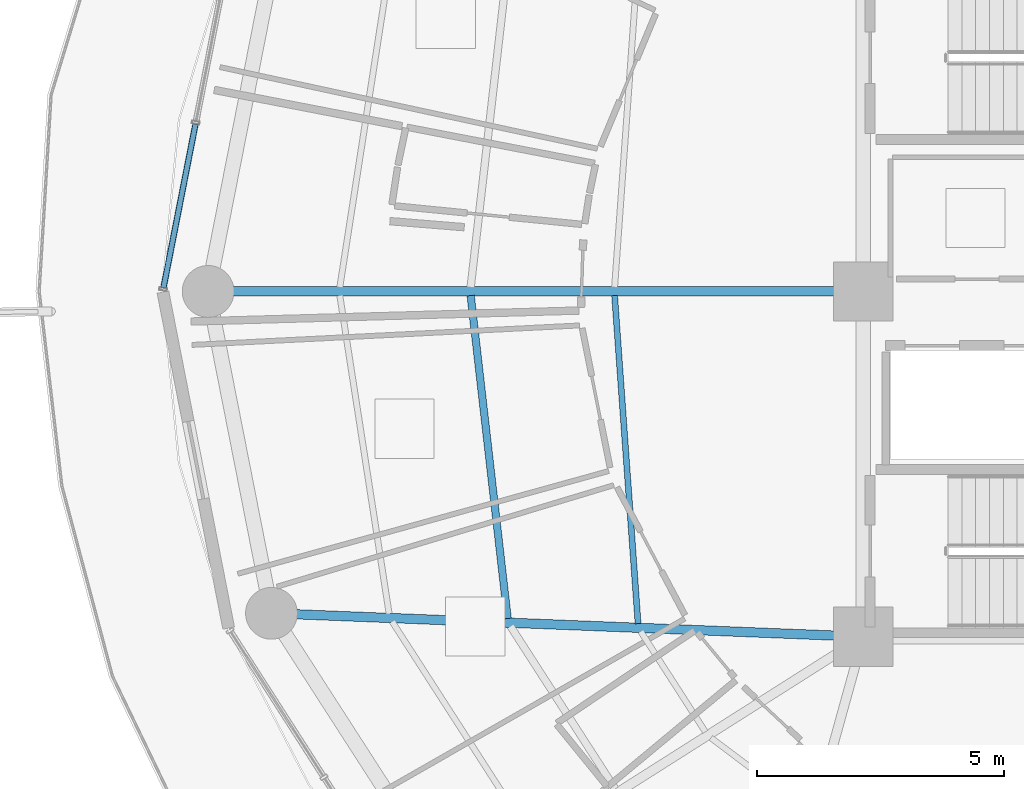
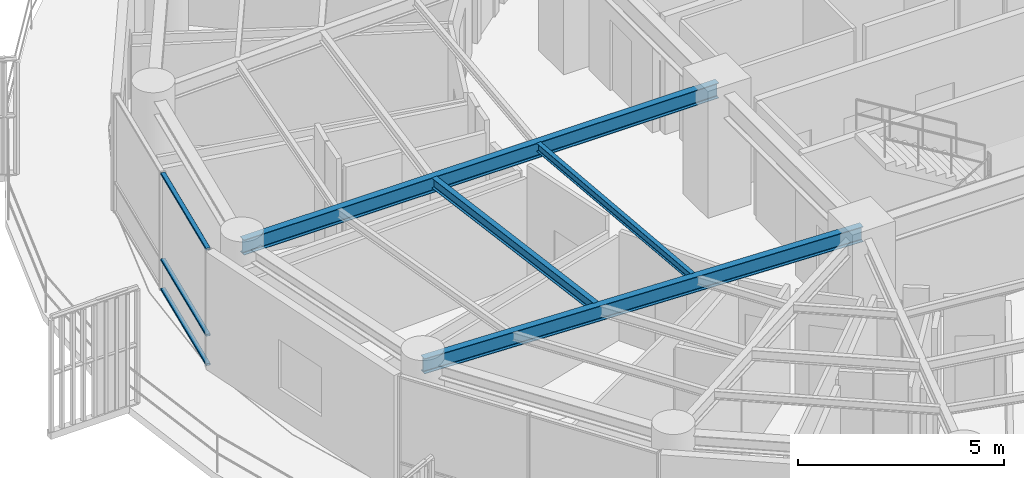
# One storey, part 7 of 31: 4 beams, 3 members, 1 element without a shape of its own.
"""IFC4 building model written with IfcOpenShell, lengths in metres."""

from ifc_helpers import new_model, si_unit, direction, frame, origin, origin_2d, place, context, subcontext, project, spatial, hollow_rectangle, i_section, extrude, material, layer, layer_set, material_profile, profile_set, type_object, element, aggregate, save


model = new_model("IFC4")

# Units and contexts
model_context = context("Model", 3, precision=1e-05, world=origin(), true_north=direction((0.0, 1.0)))
body_context = subcontext(model_context, "Body", "Model", "MODEL_VIEW")
ifc_project = project(units=[si_unit("LENGTHUNIT", "METRE"), si_unit("AREAUNIT", "SQUARE_METRE"), si_unit("VOLUMEUNIT", "CUBIC_METRE"), si_unit("PLANEANGLEUNIT", "RADIAN"), si_unit("MASSUNIT", "GRAM", prefix="KILO")], contexts=[model_context])

# Site, building, storey
site_placement = place(None, origin())
site = spatial("IfcSite", under=ifc_project, at=site_placement, CompositionType="ELEMENT")
building_placement = place(site_placement, origin())
building = spatial("IfcBuilding", under=site, at=building_placement, Name="Kelanora Arch Commons", CompositionType="ELEMENT")
storey_placement = place(building_placement, frame((0.0, 0.0, 200.699951171875)))
storey = spatial("IfcBuildingStorey", under=building, at=storey_placement, Name="L51", CompositionType="ELEMENT", Elevation=200.699951171875)

# Beams
ifc_material_1 = material(Name="Steel S355", Category="steel")
ifc_material_profile_1 = material_profile(ifc_material_1, i_section(OverallWidth=0.14990234375, OverallDepth=0.300048828125, WebThickness=0.007080078125, FlangeThickness=0.0107421875, FilletRadius=0.014892578125, at=origin_2d()), Name="IPE300")
ifc_profile_set_1 = profile_set([ifc_material_profile_1], Name="Steel S355")
beam_type_1 = type_object("IfcBeamType", Name="BM-JST-01", PredefinedType="JOIST", material=ifc_profile_set_1)
beam_1_placement = place(storey_placement, frame((58.041748046875, 57.91552734375, 3.340087890625), z_axis=(0.113891408177, -0.993493204377, 0.0), x_axis=(0.993493204377, 0.113891408177, 0.0)))
element("IfcBeam", 1, at=beam_1_placement, inside=storey, type_object=beam_type_1, Name="Secondary Chord Joist BJB-18 L51", PredefinedType="JOIST", context=body_context, shape_type="SweptSolid", body=[
    extrude(i_section(OverallWidth=0.14990234375, OverallDepth=0.300048828125, WebThickness=0.007080078125, FlangeThickness=0.0107421875, FilletRadius=0.014892578125, at=origin_2d()), origin(), (0.0, 0.0, 1.0), 6.589599609375),
])
ifc_material_profile_2 = material_profile(ifc_material_1, i_section(OverallWidth=0.1201171875, OverallDepth=0.239990234375, WebThickness=0.006103515625, FlangeThickness=0.009765625, FilletRadius=0.014892578125, at=origin_2d()), Name="IPE240")
ifc_profile_set_2 = profile_set([ifc_material_profile_2], Name="Steel S355")
beam_type_2 = type_object("IfcBeamType", Name="BM-JST-02", PredefinedType="JOIST", material=ifc_profile_set_2)
beam_2_placement = place(storey_placement, frame((60.959716796875, 57.915283203125, 3.3701171875), z_axis=(0.07133032136, -0.997452748382, 0.0), x_axis=(0.997452748382, 0.07133032136, 0.0)))
element("IfcBeam", 2, at=beam_2_placement, inside=storey, type_object=beam_type_2, Name="Secondary Chord Joist BJA-18 L51", PredefinedType="JOIST", context=body_context, shape_type="SweptSolid", body=[
    extrude(i_section(OverallWidth=0.1201171875, OverallDepth=0.239990234375, WebThickness=0.006103515625, FlangeThickness=0.009765625, FilletRadius=0.014892578125, at=origin_2d()), origin(), (0.0, 0.0, 1.0), 6.66748046875),
])
ifc_material_profile_3 = material_profile(ifc_material_1, i_section(OverallWidth=0.18994140625, OverallDepth=0.449951171875, WebThickness=0.009521484375, FlangeThickness=0.0146484375, FilletRadius=0.02099609375, at=origin_2d()), Name="IPE450")
ifc_profile_set_3 = profile_set([ifc_material_profile_3], Name="Steel S355")
beam_type_3 = type_object("IfcBeamType", Name="BM-RAD-Z4", PredefinedType="BEAM", material=ifc_profile_set_3)
beam_3_placement = place(storey_placement, frame((66.0, 58.0, 3.26513671875), z_axis=(-1.0, 0.0, 0.0), x_axis=(0.0, -1.0, 0.0)))
element("IfcBeam", 3, at=beam_3_placement, inside=storey, type_object=beam_type_3, Name="Radial Floor Girder BR-18 L51", PredefinedType="BEAM", context=body_context, shape_type="SweptSolid", body=[
    extrude(i_section(OverallWidth=0.18994140625, OverallDepth=0.449951171875, WebThickness=0.009521484375, FlangeThickness=0.0146484375, FilletRadius=0.02099609375, at=origin_2d()), origin(), (0.0, 0.0, 1.0), 13.280029296875),
])
beam_4_placement = place(storey_placement, frame((66.0, 51.0, 3.26513671875), z_axis=(-0.999219142585, 0.03951082246, 0.0), x_axis=(-0.03951082246, -0.999219142585, 0.0)))
element("IfcBeam", 4, at=beam_4_placement, inside=storey, type_object=beam_type_3, Name="Radial Floor Girder BR-20 L51", PredefinedType="BEAM", context=body_context, shape_type="SweptSolid", body=[
    extrude(i_section(OverallWidth=0.18994140625, OverallDepth=0.449951171875, WebThickness=0.009521484375, FlangeThickness=0.0146484375, FilletRadius=0.02099609375, at=origin_2d()), origin(), (0.0, 0.0, 1.0), 12.005859375),
])

# Curtain wall, members
ifc_material_2 = material(Name="Terracotta ceramic-fritted low-E glass and aluminium", Category="masonry")
ifc_layer = layer(ifc_material_2, 0.175048828125)
ifc_layer_set = layer_set([ifc_layer], Name="Terracotta ceramic-fritted low-E glass and aluminium")
curtain_wall_type = type_object("IfcCurtainWallType", Name="CW-SYS-02", PredefinedType="NOTDEFINED", material=ifc_layer_set)
curtain_wall_placement = place(storey_placement, origin())
curtain_wall = element("IfcCurtainWall", 5, at=curtain_wall_placement, inside=storey, type_object=curtain_wall_type, Name="Unitised Curtain Wall L51-B08", PredefinedType="NOTDEFINED")
ifc_material_3 = material(Name="Powder-coated aluminium terracotta", Category="masonry")
ifc_material_profile_4 = material_profile(ifc_material_3, hollow_rectangle(XDim=0.1201171875, YDim=0.06005859375, WallThickness=0.0048828125, InnerFilletRadius=0.0048828125, OuterFilletRadius=0.010009765625, at=origin_2d()), Name="CWT120x60")
ifc_profile_set_4 = profile_set([ifc_material_profile_4], Name="Powder-coated aluminium terracotta")
member_type = type_object("IfcMemberType", Name="CWT-STD", PredefinedType="USERDEFINED", material=ifc_profile_set_4)
member_1_placement = place(storey_placement, frame((52.463623046875, 61.390869140625, 0.030029296875), z_axis=(-0.192044874899, -0.981386145218, 0.0), x_axis=(0.981386145218, -0.192044874899, 0.0)))
member_1 = element("IfcMember", 6, at=member_1_placement, type_object=member_type, Name="CW-02 transom 2.1", ObjectType="TRANSOM", PredefinedType="USERDEFINED", context=body_context, shape_type="SweptSolid", body=[
    extrude(hollow_rectangle(XDim=0.1201171875, YDim=0.06005859375, WallThickness=0.0048828125, InnerFilletRadius=0.0048828125, OuterFilletRadius=0.010009765625, at=origin_2d()), origin(), (0.0, 0.0, 1.0), 3.38037109375),
])
member_2_placement = place(storey_placement, frame((52.463623046875, 61.390869140625, 0.900146484375), z_axis=(-0.192044874899, -0.981386145218, 0.0), x_axis=(0.981386145218, -0.192044874899, 0.0)))
member_2 = element("IfcMember", 7, at=member_2_placement, type_object=member_type, Name="CW-02 transom 2.2", ObjectType="TRANSOM", PredefinedType="USERDEFINED", context=body_context, shape_type="SweptSolid", body=[
    extrude(hollow_rectangle(XDim=0.1201171875, YDim=0.06005859375, WallThickness=0.0048828125, InnerFilletRadius=0.0048828125, OuterFilletRadius=0.010009765625, at=origin_2d()), origin(), (0.0, 0.0, 1.0), 3.38037109375),
])
member_3_placement = place(storey_placement, frame((52.463623046875, 61.390869140625, 3.445068359375), z_axis=(-0.192044874899, -0.981386145218, 0.0), x_axis=(0.981386145218, -0.192044874899, 0.0)))
member_3 = element("IfcMember", 8, at=member_3_placement, type_object=member_type, Name="CW-02 transom 2.3", ObjectType="TRANSOM", PredefinedType="USERDEFINED", context=body_context, shape_type="SweptSolid", body=[
    extrude(hollow_rectangle(XDim=0.1201171875, YDim=0.06005859375, WallThickness=0.0048828125, InnerFilletRadius=0.0048828125, OuterFilletRadius=0.010009765625, at=origin_2d()), origin(), (0.0, 0.0, 1.0), 3.38037109375),
])
aggregate(curtain_wall, [member_1, member_2, member_3])

save(model, "model.ifc")
